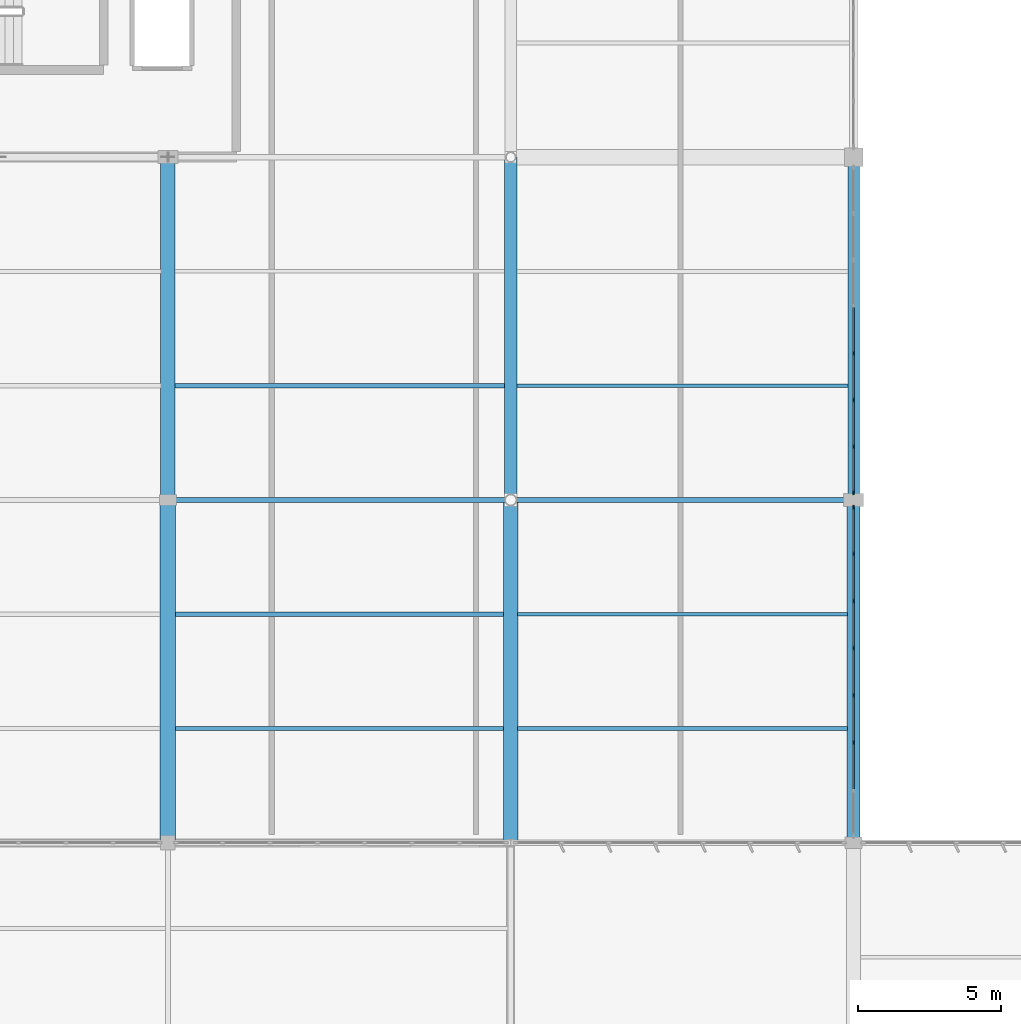
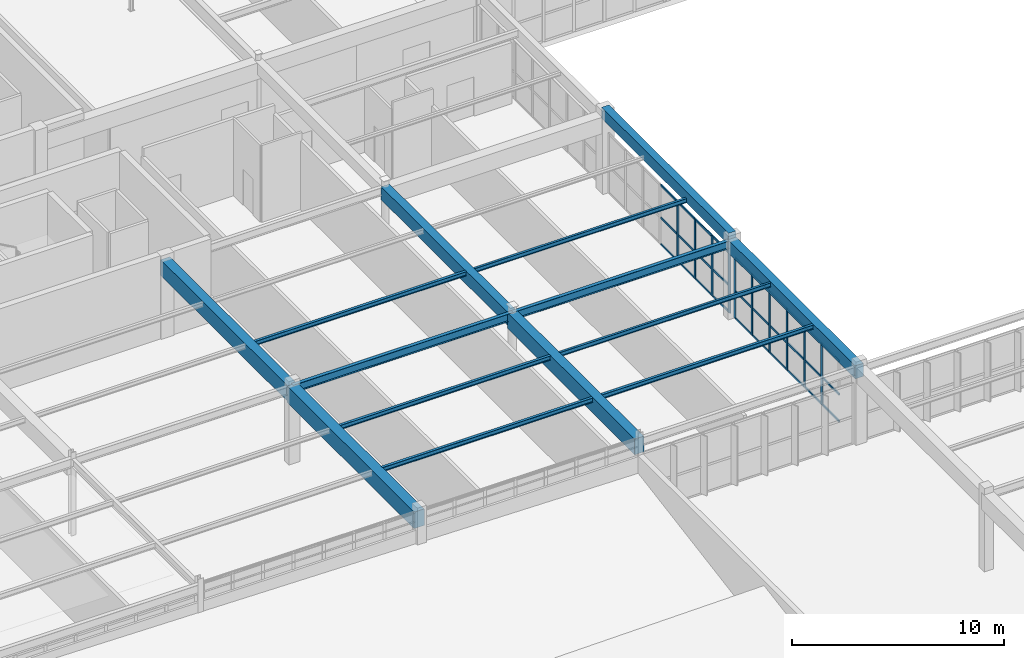
# One storey, part 76 of 226: 40 members, 14 beams, 2 elements without a shape of their own.
"""IFC4 building model written with IfcOpenShell, lengths in metres."""

from ifc_helpers import new_model, si_unit, direction, frame, origin, origin_2d, place, context, subcontext, project, spatial, rectangle, i_section, extrude, material, layer, layer_set, material_profile, profile_set, type_object, element, aggregate, save


model = new_model("IFC4")

# Units and contexts
model_context = context("Model", 3, precision=1e-05, world=origin(), true_north=direction((0.0, 1.0)))
body_context = subcontext(model_context, "Body", "Model", "MODEL_VIEW")
ifc_project = project(units=[si_unit("LENGTHUNIT", "METRE"), si_unit("AREAUNIT", "SQUARE_METRE"), si_unit("VOLUMEUNIT", "CUBIC_METRE"), si_unit("PLANEANGLEUNIT", "RADIAN"), si_unit("MASSUNIT", "GRAM", prefix="KILO")], contexts=[model_context])

# Site, building, storey
site_placement = place(None, origin())
site = spatial("IfcSite", under=ifc_project, at=site_placement, CompositionType="ELEMENT")
building_placement = place(site_placement, origin())
building = spatial("IfcBuilding", under=site, at=building_placement, Name="Tarnwether General Hospital", CompositionType="ELEMENT")
storey_placement = place(building_placement, frame((0.0, 0.0, 4.800048828125)))
storey = spatial("IfcBuildingStorey", under=building, at=storey_placement, Name="L01", CompositionType="ELEMENT", Elevation=4.800048828125)

# Beams
ifc_material_1 = material(Name="Steel Grade 350 (350 MPa)", Category="steel")
ifc_material_profile_1 = material_profile(ifc_material_1, i_section(OverallWidth=0.18994140625, OverallDepth=0.45703125, WebThickness=0.009033203125, FlangeThickness=0.014404296875, at=origin_2d()), Name="460UB74.6")
ifc_profile_set_1 = profile_set([ifc_material_profile_1], Name="Steel Grade 350 (350 MPa)")
beam_type_1 = type_object("IfcBeamType", Name="BM-G09", PredefinedType="BEAM", material=ifc_profile_set_1)
beam_1_placement = place(storey_placement, frame((36.0, 57.60009765625, 4.201416015625), z_axis=(1.0, 0.0, 0.0), x_axis=(0.0, 1.0, 0.0)))
element("IfcBeam", 1, at=beam_1_placement, inside=storey, type_object=beam_type_1, Name="Primary Girder BMG-L01-3600_5760-4800_5760-1092", PredefinedType="BEAM", context=body_context, shape_type="SweptSolid", body=[
    extrude(i_section(OverallWidth=0.18994140625, OverallDepth=0.45703125, WebThickness=0.009033203125, FlangeThickness=0.014404296875, at=origin_2d()), origin(), (0.0, 0.0, 1.0), 12.0),
])
ifc_material_2 = material(Name="Steel Grade 350 (350 MPa)", Category="steel")
ifc_material_profile_2 = material_profile(ifc_material_2, i_section(OverallWidth=0.18994140625, OverallDepth=0.4541015625, WebThickness=0.008544921875, FlangeThickness=0.0126953125, at=origin_2d()), Name="460UB67.1")
ifc_profile_set_2 = profile_set([ifc_material_profile_2], Name="Steel Grade 350 (350 MPa)")
beam_type_2 = type_object("IfcBeamType", Name="BM-G10", PredefinedType="BEAM", material=ifc_profile_set_2)
beam_2_placement = place(storey_placement, frame((48.0, 57.60009765625, 4.202880859375), z_axis=(1.0, 0.0, 0.0), x_axis=(0.0, 1.0, 0.0)))
element("IfcBeam", 2, at=beam_2_placement, inside=storey, type_object=beam_type_2, Name="Primary Girder BMG-L01-4800_5760-6000_5760-1105", PredefinedType="BEAM", context=body_context, shape_type="SweptSolid", body=[
    extrude(i_section(OverallWidth=0.18994140625, OverallDepth=0.4541015625, WebThickness=0.008544921875, FlangeThickness=0.0126953125, at=origin_2d()), origin(), (0.0, 0.0, 1.0), 12.0),
])
ifc_material_3 = material(Name="Concrete 40 MPa", Category="concrete")
ifc_material_profile_3 = material_profile(ifc_material_3, rectangle(XDim=0.550048828125, YDim=0.949951171875, at=origin_2d()), Name="RC-BM-550x950")
ifc_profile_set_3 = profile_set([ifc_material_profile_3], Name="Concrete 40 MPa")
beam_type_3 = type_object("IfcBeamType", Name="BM-G11", PredefinedType="BEAM", material=ifc_profile_set_3)
beam_3_placement = place(storey_placement, frame((36.0, 45.60009765625, 3.954833984375), z_axis=(0.0, 1.0, 0.0), x_axis=(-1.0, 0.0, 0.0)))
element("IfcBeam", 3, at=beam_3_placement, inside=storey, type_object=beam_type_3, Name="Primary Girder BMG-L01-3600_4560-3600_5760-1091", PredefinedType="BEAM", context=body_context, shape_type="SweptSolid", body=[
    extrude(rectangle(XDim=0.550048828125, YDim=0.949951171875, at=origin_2d()), origin(), (0.0, 0.0, 1.0), 12.0),
])
ifc_material_4 = material(Name="Concrete 40 MPa", Category="concrete")
ifc_material_profile_4 = material_profile(ifc_material_4, rectangle(XDim=0.5, YDim=0.89990234375, at=origin_2d()), Name="RC-BM-500x900")
ifc_profile_set_4 = profile_set([ifc_material_profile_4], Name="Concrete 40 MPa")
beam_type_4 = type_object("IfcBeamType", Name="BM-G12", PredefinedType="BEAM", material=ifc_profile_set_4)
for number, where, z_axis, x_axis, name in (
    (4, (36.0, 57.60009765625, 3.97998046875), (0.0, 1.0, 0.0), (-1.0, 0.0, 0.0), "Primary Girder BMG-L01-3600_5760-3600_6960-1093"),
    (5, (48.0, 45.60009765625, 3.97998046875), (0.0, 1.0, 0.0), (-1.0, 0.0, 0.0), "Primary Girder BMG-L01-4800_4560-4800_5760-1104"),
):
    element("IfcBeam", number, at=place(storey_placement, frame(where, z_axis=z_axis, x_axis=x_axis)), inside=storey, type_object=beam_type_4, Name=name, PredefinedType="BEAM", context=body_context, shape_type="SweptSolid", body=[
        extrude(rectangle(XDim=0.5, YDim=0.89990234375, at=origin_2d()), origin(), (0.0, 0.0, 1.0), 12.0),
    ])
ifc_material_5 = material(Name="Concrete 40 MPa", Category="concrete")
ifc_material_profile_5 = material_profile(ifc_material_5, rectangle(XDim=0.449951171875, YDim=0.75, at=origin_2d()), Name="RC-BM-450x750")
ifc_profile_set_5 = profile_set([ifc_material_profile_5], Name="Concrete 40 MPa")
beam_type_5 = type_object("IfcBeamType", Name="BM-G13", PredefinedType="BEAM", material=ifc_profile_set_5)
for number, where, z_axis, x_axis, name in (
    (6, (48.0, 57.60009765625, 4.054931640625), (0.0, 1.0, 0.0), (-1.0, 0.0, 0.0), "Primary Girder BMG-L01-4800_5760-4800_6960-1106"),
    (7, (60.0, 45.60009765625, 4.070068359375), (0.0, 1.0, 0.0), (-1.0, 0.0, 0.0), "Primary Girder BMG-L01-6000_4560-6000_5760-1125"),
):
    element("IfcBeam", number, at=place(storey_placement, frame(where, z_axis=z_axis, x_axis=x_axis)), inside=storey, type_object=beam_type_5, Name=name, PredefinedType="BEAM", context=body_context, shape_type="SweptSolid", body=[
        extrude(rectangle(XDim=0.449951171875, YDim=0.75, at=origin_2d()), origin(), (0.0, 0.0, 1.0), 12.0),
    ])
ifc_material_6 = material(Name="Concrete 40 MPa", Category="concrete")
ifc_material_profile_6 = material_profile(ifc_material_6, rectangle(XDim=0.39990234375, YDim=0.64990234375, at=origin_2d()), Name="RC-BM-400x650")
ifc_profile_set_6 = profile_set([ifc_material_profile_6], Name="Concrete 40 MPa")
beam_type_6 = type_object("IfcBeamType", Name="BM-G14", PredefinedType="BEAM", material=ifc_profile_set_6)
beam_4_placement = place(storey_placement, frame((60.0, 57.60009765625, 4.474853515625), z_axis=(0.0, 1.0, 0.0), x_axis=(-1.0, 0.0, 0.0)))
element("IfcBeam", 8, at=beam_4_placement, inside=storey, type_object=beam_type_6, Name="Primary Girder BMG-L01-6000_5760-6000_6960-1126", PredefinedType="BEAM", context=body_context, shape_type="SweptSolid", body=[
    extrude(rectangle(XDim=0.39990234375, YDim=0.64990234375, at=origin_2d()), origin(), (0.0, 0.0, 1.0), 12.0),
])
ifc_material_7 = material(Name="Steel Grade 350 (350 MPa)", Category="steel")
ifc_material_profile_7 = material_profile(ifc_material_7, i_section(OverallWidth=0.14599609375, OverallDepth=0.256103515625, WebThickness=0.00634765625, FlangeThickness=0.010986328125, at=origin_2d()), Name="250UB37.3")
ifc_profile_set_7 = profile_set([ifc_material_profile_7], Name="Steel Grade 350 (350 MPa)")
beam_type_7 = type_object("IfcBeamType", Name="BM-J09", PredefinedType="JOIST", material=ifc_profile_set_7)
beam_5_placement = place(storey_placement, frame((36.26904296875, 49.60009765625, 4.302001953125), z_axis=(1.0, 0.0, 0.0), x_axis=(0.0, 1.0, 0.0)))
element("IfcBeam", 9, at=beam_5_placement, inside=storey, type_object=beam_type_7, Name="Composite Floor Joist BMG-L01-3627_4960-4776_4960-1329", PredefinedType="JOIST", context=body_context, shape_type="SweptSolid", body=[
    extrude(i_section(OverallWidth=0.14599609375, OverallDepth=0.256103515625, WebThickness=0.00634765625, FlangeThickness=0.010986328125, at=origin_2d()), origin(), (0.0, 0.0, 1.0), 11.487060546875),
])
ifc_material_8 = material(Name="Steel Grade 350 (350 MPa)", Category="steel")
ifc_material_profile_8 = material_profile(ifc_material_8, i_section(OverallWidth=0.14599609375, OverallDepth=0.251953125, WebThickness=0.006103515625, FlangeThickness=0.008544921875, at=origin_2d()), Name="250UB31.4")
ifc_profile_set_8 = profile_set([ifc_material_profile_8], Name="Steel Grade 350 (350 MPa)")
beam_type_8 = type_object("IfcBeamType", Name="BM-J10", PredefinedType="JOIST", material=ifc_profile_set_8)
beam_6_placement = place(storey_placement, frame((36.26904296875, 53.60009765625, 4.303955078125), z_axis=(1.0, 0.0, 0.0), x_axis=(0.0, 1.0, 0.0)))
element("IfcBeam", 10, at=beam_6_placement, inside=storey, type_object=beam_type_8, Name="Composite Floor Joist BMG-L01-3627_5360-4776_5360-1330", PredefinedType="JOIST", context=body_context, shape_type="SweptSolid", body=[
    extrude(i_section(OverallWidth=0.14599609375, OverallDepth=0.251953125, WebThickness=0.006103515625, FlangeThickness=0.008544921875, at=origin_2d()), origin(), (0.0, 0.0, 1.0), 11.487060546875),
])
for number, where, z_axis, x_axis, name in (
    (11, (36.243896484375, 61.60009765625, 4.303955078125), (1.0, 0.0, 0.0), (0.0, 1.0, 0.0), "Composite Floor Joist BMG-L01-3624_6160-4778_6160-1331"),
    (12, (48.243896484375, 49.60009765625, 4.303955078125), (1.0, 0.0, 0.0), (0.0, 1.0, 0.0), "Composite Floor Joist BMG-L01-4824_4960-5978_4960-1339"),
):
    element("IfcBeam", number, at=place(storey_placement, frame(where, z_axis=z_axis, x_axis=x_axis)), inside=storey, type_object=beam_type_8, Name=name, PredefinedType="JOIST", context=body_context, shape_type="SweptSolid", body=[
        extrude(i_section(OverallWidth=0.14599609375, OverallDepth=0.251953125, WebThickness=0.006103515625, FlangeThickness=0.008544921875, at=origin_2d()), origin(), (0.0, 0.0, 1.0), 11.537109375),
    ])
ifc_material_9 = material(Name="Steel Grade 350 (350 MPa)", Category="steel")
ifc_material_profile_9 = material_profile(ifc_material_9, i_section(OverallWidth=0.1240234375, OverallDepth=0.248046875, WebThickness=0.0048828125, FlangeThickness=0.008056640625, at=origin_2d()), Name="250UB25.7")
ifc_profile_set_9 = profile_set([ifc_material_profile_9], Name="Steel Grade 350 (350 MPa)")
beam_type_9 = type_object("IfcBeamType", Name="BM-J11", PredefinedType="JOIST", material=ifc_profile_set_9)
beam_7_placement = place(storey_placement, frame((48.243896484375, 53.60009765625, 4.305908203125), z_axis=(1.0, 0.0, 0.0), x_axis=(0.0, 1.0, 0.0)))
element("IfcBeam", 13, at=beam_7_placement, inside=storey, type_object=beam_type_9, Name="Composite Floor Joist BMG-L01-4824_5360-5978_5360-1340", PredefinedType="JOIST", context=body_context, shape_type="SweptSolid", body=[
    extrude(i_section(OverallWidth=0.1240234375, OverallDepth=0.248046875, WebThickness=0.0048828125, FlangeThickness=0.008056640625, at=origin_2d()), origin(), (0.0, 0.0, 1.0), 11.537109375),
])
beam_8_placement = place(storey_placement, frame((48.218994140625, 61.60009765625, 4.305908203125), z_axis=(1.0, 0.0, 0.0), x_axis=(0.0, 1.0, 0.0)))
element("IfcBeam", 14, at=beam_8_placement, inside=storey, type_object=beam_type_9, Name="Composite Floor Joist BMG-L01-4822_6160-5981_6160-1341", PredefinedType="JOIST", context=body_context, shape_type="SweptSolid", body=[
    extrude(i_section(OverallWidth=0.1240234375, OverallDepth=0.248046875, WebThickness=0.0048828125, FlangeThickness=0.008056640625, at=origin_2d()), origin(), (0.0, 0.0, 1.0), 11.5869140625),
])

# Curtain wall, members
ifc_material_10 = material(Name="Anodised aluminium", Category="aluminium")
ifc_layer = layer(ifc_material_10, 0.159912109375)
ifc_layer_set = layer_set([ifc_layer], Name="Anodised aluminium")
curtain_wall_type = type_object("IfcCurtainWallType", Name="CW-15", PredefinedType="NOTDEFINED", material=ifc_layer_set)
curtain_wall_1_placement = place(storey_placement, origin())
curtain_wall_1 = element("IfcCurtainWall", 15, at=curtain_wall_1_placement, inside=storey, type_object=curtain_wall_type, Name="Curtain Wall CWG-L01-600_693-0353", PredefinedType="NOTDEFINED")
ifc_material_11 = material(Name="Anodised aluminium", Category="aluminium")
ifc_material_profile_10 = material_profile(ifc_material_11, rectangle(XDim=0.06005859375, YDim=0.159912109375, at=origin_2d()), Name="ALU-MUL-60x160")
ifc_profile_set_10 = profile_set([ifc_material_profile_10], Name="Anodised aluminium")
member_type_1 = type_object("IfcMemberType", Name="CW-ML1", PredefinedType="MULLION", material=ifc_profile_set_10)
member_1_placement = place(storey_placement, frame((60.0, 62.7333984375, 0.0), z_axis=(0.0, 0.0, 1.0), x_axis=(1.0, 0.0, 0.0)))
member_1 = element("IfcMember", 16, at=member_1_placement, type_object=member_type_1, Name="CW-15 mullion 5", PredefinedType="MULLION", context=body_context, shape_type="SweptSolid", body=[
    extrude(rectangle(XDim=0.06005859375, YDim=0.159912109375, at=origin_2d()), origin(), (0.0, 0.0, 1.0), 3.46484375),
])
member_2_placement = place(storey_placement, frame((60.0, 61.099853515625, 0.0), z_axis=(0.0, 0.0, 1.0), x_axis=(1.0, 0.0, 0.0)))
member_2 = element("IfcMember", 17, at=member_2_placement, type_object=member_type_1, Name="CW-15 mullion 6", PredefinedType="MULLION", context=body_context, shape_type="SweptSolid", body=[
    extrude(rectangle(XDim=0.06005859375, YDim=0.159912109375, at=origin_2d()), origin(), (0.0, 0.0, 1.0), 3.46484375),
])
member_3_placement = place(storey_placement, frame((60.0, 59.46630859375, 0.0), z_axis=(0.0, 0.0, 1.0), x_axis=(1.0, 0.0, 0.0)))
member_3 = element("IfcMember", 18, at=member_3_placement, type_object=member_type_1, Name="CW-15 mullion 7", PredefinedType="MULLION", context=body_context, shape_type="SweptSolid", body=[
    extrude(rectangle(XDim=0.06005859375, YDim=0.159912109375, at=origin_2d()), origin(), (0.0, 0.0, 1.0), 3.46484375),
])
member_4_placement = place(storey_placement, frame((60.0, 57.863037109375, 0.0), z_axis=(0.0, 0.0, 1.0), x_axis=(1.0, 0.0, 0.0)))
member_4 = element("IfcMember", 19, at=member_4_placement, type_object=member_type_1, Name="CW-15 mullion 8", PredefinedType="MULLION", context=body_context, shape_type="SweptSolid", body=[
    extrude(rectangle(XDim=0.06005859375, YDim=0.159912109375, at=origin_2d()), origin(), (0.0, 0.0, 1.0), 3.46484375),
])

curtain_wall_2_placement = place(storey_placement, origin())
curtain_wall_2 = element("IfcCurtainWall", 20, at=curtain_wall_2_placement, inside=storey, type_object=curtain_wall_type, Name="Curtain Wall CWG-L01-600_574-0354", PredefinedType="NOTDEFINED")
member_5_placement = place(storey_placement, frame((60.0, 57.3369140625, 0.0), z_axis=(0.0, 0.0, 1.0), x_axis=(1.0, 0.0, 0.0)))
member_5 = element("IfcMember", 21, at=member_5_placement, type_object=member_type_1, Name="CW-15 mullion 1", PredefinedType="MULLION", context=body_context, shape_type="SweptSolid", body=[
    extrude(rectangle(XDim=0.06005859375, YDim=0.159912109375, at=origin_2d()), origin(), (0.0, 0.0, 1.0), 3.530029296875),
])
member_6_placement = place(storey_placement, frame((60.0, 55.7158203125, 0.0), z_axis=(0.0, 0.0, 1.0), x_axis=(1.0, 0.0, 0.0)))
member_6 = element("IfcMember", 22, at=member_6_placement, type_object=member_type_1, Name="CW-15 mullion 2", PredefinedType="MULLION", context=body_context, shape_type="SweptSolid", body=[
    extrude(rectangle(XDim=0.06005859375, YDim=0.159912109375, at=origin_2d()), origin(), (0.0, 0.0, 1.0), 3.530029296875),
])
member_7_placement = place(storey_placement, frame((60.0, 54.064453125, 0.0), z_axis=(0.0, 0.0, 1.0), x_axis=(1.0, 0.0, 0.0)))
member_7 = element("IfcMember", 23, at=member_7_placement, type_object=member_type_1, Name="CW-15 mullion 3", PredefinedType="MULLION", context=body_context, shape_type="SweptSolid", body=[
    extrude(rectangle(XDim=0.06005859375, YDim=0.159912109375, at=origin_2d()), origin(), (0.0, 0.0, 1.0), 3.530029296875),
])
member_8_placement = place(storey_placement, frame((60.0, 52.4130859375, 0.0), z_axis=(0.0, 0.0, 1.0), x_axis=(1.0, 0.0, 0.0)))
member_8 = element("IfcMember", 24, at=member_8_placement, type_object=member_type_1, Name="CW-15 mullion 4", PredefinedType="MULLION", context=body_context, shape_type="SweptSolid", body=[
    extrude(rectangle(XDim=0.06005859375, YDim=0.159912109375, at=origin_2d()), origin(), (0.0, 0.0, 1.0), 3.530029296875),
])
member_9_placement = place(storey_placement, frame((60.0, 50.761962890625, 0.0), z_axis=(0.0, 0.0, 1.0), x_axis=(1.0, 0.0, 0.0)))
member_9 = element("IfcMember", 25, at=member_9_placement, type_object=member_type_1, Name="CW-15 mullion 5", PredefinedType="MULLION", context=body_context, shape_type="SweptSolid", body=[
    extrude(rectangle(XDim=0.06005859375, YDim=0.159912109375, at=origin_2d()), origin(), (0.0, 0.0, 1.0), 3.530029296875),
])
member_10_placement = place(storey_placement, frame((60.0, 49.110595703125, 0.0), z_axis=(0.0, 0.0, 1.0), x_axis=(1.0, 0.0, 0.0)))
member_10 = element("IfcMember", 26, at=member_10_placement, type_object=member_type_1, Name="CW-15 mullion 6", PredefinedType="MULLION", context=body_context, shape_type="SweptSolid", body=[
    extrude(rectangle(XDim=0.06005859375, YDim=0.159912109375, at=origin_2d()), origin(), (0.0, 0.0, 1.0), 3.530029296875),
])

# Member
ifc_material_12 = material(Name="Anodised aluminium", Category="aluminium")
ifc_material_profile_11 = material_profile(ifc_material_12, rectangle(XDim=0.06005859375, YDim=0.1201171875, at=origin_2d()), Name="ALU-TRN-60x120")
ifc_profile_set_11 = profile_set([ifc_material_profile_11], Name="Anodised aluminium")
member_type_2 = type_object("IfcMemberType", Name="CW-TR1", PredefinedType="USERDEFINED", material=ifc_profile_set_11)
member_11_placement = place(storey_placement, frame((60.0, 64.336669921875, 0.030029296875), z_axis=(0.0, -1.0, 0.0), x_axis=(1.0, 0.0, 0.0)))
member_11 = element("IfcMember", 27, at=member_11_placement, type_object=member_type_2, Name="CW-15 transom 4.1", ObjectType="TRANSOM", PredefinedType="USERDEFINED", context=body_context, shape_type="SweptSolid", body=[
    extrude(rectangle(XDim=0.06005859375, YDim=0.1201171875, at=origin_2d()), origin(), (0.0, 0.0, 1.0), 1.573486328125),
])

member_12_placement = place(storey_placement, frame((60.0, 64.336669921875, 1.559326171875), z_axis=(0.0, -1.0, 0.0), x_axis=(1.0, 0.0, 0.0)))
member_12 = element("IfcMember", 28, at=member_12_placement, type_object=member_type_2, Name="CW-15 transom 4.2", ObjectType="TRANSOM", PredefinedType="USERDEFINED", context=body_context, shape_type="SweptSolid", body=[
    extrude(rectangle(XDim=0.06005859375, YDim=0.1201171875, at=origin_2d()), origin(), (0.0, 0.0, 1.0), 1.573486328125),
])

member_13_placement = place(storey_placement, frame((60.0, 64.336669921875, 3.43505859375), z_axis=(0.0, -1.0, 0.0), x_axis=(1.0, 0.0, 0.0)))
member_13 = element("IfcMember", 29, at=member_13_placement, type_object=member_type_2, Name="CW-15 transom 4.3", ObjectType="TRANSOM", PredefinedType="USERDEFINED", context=body_context, shape_type="SweptSolid", body=[
    extrude(rectangle(XDim=0.06005859375, YDim=0.1201171875, at=origin_2d()), origin(), (0.0, 0.0, 1.0), 1.573486328125),
])

member_14_placement = place(storey_placement, frame((60.0, 62.703369140625, 0.030029296875), z_axis=(0.0, -1.0, 0.0), x_axis=(1.0, 0.0, 0.0)))
member_14 = element("IfcMember", 30, at=member_14_placement, type_object=member_type_2, Name="CW-15 transom 5.1", ObjectType="TRANSOM", PredefinedType="USERDEFINED", context=body_context, shape_type="SweptSolid", body=[
    extrude(rectangle(XDim=0.06005859375, YDim=0.1201171875, at=origin_2d()), origin(), (0.0, 0.0, 1.0), 1.573486328125),
])

member_15_placement = place(storey_placement, frame((60.0, 62.703369140625, 1.559326171875), z_axis=(0.0, -1.0, 0.0), x_axis=(1.0, 0.0, 0.0)))
member_15 = element("IfcMember", 31, at=member_15_placement, type_object=member_type_2, Name="CW-15 transom 5.2", ObjectType="TRANSOM", PredefinedType="USERDEFINED", context=body_context, shape_type="SweptSolid", body=[
    extrude(rectangle(XDim=0.06005859375, YDim=0.1201171875, at=origin_2d()), origin(), (0.0, 0.0, 1.0), 1.573486328125),
])

member_16_placement = place(storey_placement, frame((60.0, 62.703369140625, 3.43505859375), z_axis=(0.0, -1.0, 0.0), x_axis=(1.0, 0.0, 0.0)))
member_16 = element("IfcMember", 32, at=member_16_placement, type_object=member_type_2, Name="CW-15 transom 5.3", ObjectType="TRANSOM", PredefinedType="USERDEFINED", context=body_context, shape_type="SweptSolid", body=[
    extrude(rectangle(XDim=0.06005859375, YDim=0.1201171875, at=origin_2d()), origin(), (0.0, 0.0, 1.0), 1.573486328125),
])

member_17_placement = place(storey_placement, frame((60.0, 61.06982421875, 0.030029296875), z_axis=(0.0, -1.0, 0.0), x_axis=(1.0, 0.0, 0.0)))
member_17 = element("IfcMember", 33, at=member_17_placement, type_object=member_type_2, Name="CW-15 transom 6.1", ObjectType="TRANSOM", PredefinedType="USERDEFINED", context=body_context, shape_type="SweptSolid", body=[
    extrude(rectangle(XDim=0.06005859375, YDim=0.1201171875, at=origin_2d()), origin(), (0.0, 0.0, 1.0), 1.573486328125),
])

member_18_placement = place(storey_placement, frame((60.0, 61.06982421875, 1.559326171875), z_axis=(0.0, -1.0, 0.0), x_axis=(1.0, 0.0, 0.0)))
member_18 = element("IfcMember", 34, at=member_18_placement, type_object=member_type_2, Name="CW-15 transom 6.2", ObjectType="TRANSOM", PredefinedType="USERDEFINED", context=body_context, shape_type="SweptSolid", body=[
    extrude(rectangle(XDim=0.06005859375, YDim=0.1201171875, at=origin_2d()), origin(), (0.0, 0.0, 1.0), 1.573486328125),
])

member_19_placement = place(storey_placement, frame((60.0, 61.06982421875, 3.43505859375), z_axis=(0.0, -1.0, 0.0), x_axis=(1.0, 0.0, 0.0)))
member_19 = element("IfcMember", 35, at=member_19_placement, type_object=member_type_2, Name="CW-15 transom 6.3", ObjectType="TRANSOM", PredefinedType="USERDEFINED", context=body_context, shape_type="SweptSolid", body=[
    extrude(rectangle(XDim=0.06005859375, YDim=0.1201171875, at=origin_2d()), origin(), (0.0, 0.0, 1.0), 1.573486328125),
])

member_20_placement = place(storey_placement, frame((60.0, 59.4365234375, 0.030029296875), z_axis=(0.0, -1.0, 0.0), x_axis=(1.0, 0.0, 0.0)))
member_20 = element("IfcMember", 36, at=member_20_placement, type_object=member_type_2, Name="CW-15 transom 7.1", ObjectType="TRANSOM", PredefinedType="USERDEFINED", context=body_context, shape_type="SweptSolid", body=[
    extrude(rectangle(XDim=0.06005859375, YDim=0.1201171875, at=origin_2d()), origin(), (0.0, 0.0, 1.0), 1.54345703125),
])

member_21_placement = place(storey_placement, frame((60.0, 59.4365234375, 1.559326171875), z_axis=(0.0, -1.0, 0.0), x_axis=(1.0, 0.0, 0.0)))
member_21 = element("IfcMember", 37, at=member_21_placement, type_object=member_type_2, Name="CW-15 transom 7.2", ObjectType="TRANSOM", PredefinedType="USERDEFINED", context=body_context, shape_type="SweptSolid", body=[
    extrude(rectangle(XDim=0.06005859375, YDim=0.1201171875, at=origin_2d()), origin(), (0.0, 0.0, 1.0), 1.54345703125),
])

member_22_placement = place(storey_placement, frame((60.0, 59.4365234375, 3.43505859375), z_axis=(0.0, -1.0, 0.0), x_axis=(1.0, 0.0, 0.0)))
member_22 = element("IfcMember", 38, at=member_22_placement, type_object=member_type_2, Name="CW-15 transom 7.3", ObjectType="TRANSOM", PredefinedType="USERDEFINED", context=body_context, shape_type="SweptSolid", body=[
    extrude(rectangle(XDim=0.06005859375, YDim=0.1201171875, at=origin_2d()), origin(), (0.0, 0.0, 1.0), 1.54345703125),
])

aggregate(curtain_wall_1, [member_1, member_2, member_3, member_4, member_11, member_12, member_13, member_14, member_15, member_16, member_17, member_18, member_19, member_20, member_21, member_22])

member_23_placement = place(storey_placement, frame((60.0, 57.306884765625, 0.030029296875), z_axis=(0.0, -1.0, 0.0), x_axis=(1.0, 0.0, 0.0)))
member_23 = element("IfcMember", 39, at=member_23_placement, type_object=member_type_2, Name="CW-15 transom 1.1", ObjectType="TRANSOM", PredefinedType="USERDEFINED", context=body_context, shape_type="SweptSolid", body=[
    extrude(rectangle(XDim=0.06005859375, YDim=0.1201171875, at=origin_2d()), origin(), (0.0, 0.0, 1.0), 1.561279296875),
])

member_24_placement = place(storey_placement, frame((60.0, 57.306884765625, 1.58837890625), z_axis=(0.0, -1.0, 0.0), x_axis=(1.0, 0.0, 0.0)))
member_24 = element("IfcMember", 40, at=member_24_placement, type_object=member_type_2, Name="CW-15 transom 1.2", ObjectType="TRANSOM", PredefinedType="USERDEFINED", context=body_context, shape_type="SweptSolid", body=[
    extrude(rectangle(XDim=0.06005859375, YDim=0.1201171875, at=origin_2d()), origin(), (0.0, 0.0, 1.0), 1.561279296875),
])

member_25_placement = place(storey_placement, frame((60.0, 57.306884765625, 3.5), z_axis=(0.0, -1.0, 0.0), x_axis=(1.0, 0.0, 0.0)))
member_25 = element("IfcMember", 41, at=member_25_placement, type_object=member_type_2, Name="CW-15 transom 1.3", ObjectType="TRANSOM", PredefinedType="USERDEFINED", context=body_context, shape_type="SweptSolid", body=[
    extrude(rectangle(XDim=0.06005859375, YDim=0.1201171875, at=origin_2d()), origin(), (0.0, 0.0, 1.0), 1.561279296875),
])

member_26_placement = place(storey_placement, frame((60.0, 55.685791015625, 0.030029296875), z_axis=(0.0, -1.0, 0.0), x_axis=(1.0, 0.0, 0.0)))
member_26 = element("IfcMember", 42, at=member_26_placement, type_object=member_type_2, Name="CW-15 transom 2.1", ObjectType="TRANSOM", PredefinedType="USERDEFINED", context=body_context, shape_type="SweptSolid", body=[
    extrude(rectangle(XDim=0.06005859375, YDim=0.1201171875, at=origin_2d()), origin(), (0.0, 0.0, 1.0), 1.59130859375),
])

member_27_placement = place(storey_placement, frame((60.0, 55.685791015625, 1.58837890625), z_axis=(0.0, -1.0, 0.0), x_axis=(1.0, 0.0, 0.0)))
member_27 = element("IfcMember", 43, at=member_27_placement, type_object=member_type_2, Name="CW-15 transom 2.2", ObjectType="TRANSOM", PredefinedType="USERDEFINED", context=body_context, shape_type="SweptSolid", body=[
    extrude(rectangle(XDim=0.06005859375, YDim=0.1201171875, at=origin_2d()), origin(), (0.0, 0.0, 1.0), 1.59130859375),
])

member_28_placement = place(storey_placement, frame((60.0, 55.685791015625, 3.5), z_axis=(0.0, -1.0, 0.0), x_axis=(1.0, 0.0, 0.0)))
member_28 = element("IfcMember", 44, at=member_28_placement, type_object=member_type_2, Name="CW-15 transom 2.3", ObjectType="TRANSOM", PredefinedType="USERDEFINED", context=body_context, shape_type="SweptSolid", body=[
    extrude(rectangle(XDim=0.06005859375, YDim=0.1201171875, at=origin_2d()), origin(), (0.0, 0.0, 1.0), 1.59130859375),
])

member_29_placement = place(storey_placement, frame((60.0, 54.034423828125, 0.030029296875), z_axis=(0.0, -1.0, 0.0), x_axis=(1.0, 0.0, 0.0)))
member_29 = element("IfcMember", 45, at=member_29_placement, type_object=member_type_2, Name="CW-15 transom 3.1", ObjectType="TRANSOM", PredefinedType="USERDEFINED", context=body_context, shape_type="SweptSolid", body=[
    extrude(rectangle(XDim=0.06005859375, YDim=0.1201171875, at=origin_2d()), origin(), (0.0, 0.0, 1.0), 1.59130859375),
])

member_30_placement = place(storey_placement, frame((60.0, 54.034423828125, 1.58837890625), z_axis=(0.0, -1.0, 0.0), x_axis=(1.0, 0.0, 0.0)))
member_30 = element("IfcMember", 46, at=member_30_placement, type_object=member_type_2, Name="CW-15 transom 3.2", ObjectType="TRANSOM", PredefinedType="USERDEFINED", context=body_context, shape_type="SweptSolid", body=[
    extrude(rectangle(XDim=0.06005859375, YDim=0.1201171875, at=origin_2d()), origin(), (0.0, 0.0, 1.0), 1.59130859375),
])

member_31_placement = place(storey_placement, frame((60.0, 54.034423828125, 3.5), z_axis=(0.0, -1.0, 0.0), x_axis=(1.0, 0.0, 0.0)))
member_31 = element("IfcMember", 47, at=member_31_placement, type_object=member_type_2, Name="CW-15 transom 3.3", ObjectType="TRANSOM", PredefinedType="USERDEFINED", context=body_context, shape_type="SweptSolid", body=[
    extrude(rectangle(XDim=0.06005859375, YDim=0.1201171875, at=origin_2d()), origin(), (0.0, 0.0, 1.0), 1.59130859375),
])

member_32_placement = place(storey_placement, frame((60.0, 52.383056640625, 0.030029296875), z_axis=(0.0, -1.0, 0.0), x_axis=(1.0, 0.0, 0.0)))
member_32 = element("IfcMember", 48, at=member_32_placement, type_object=member_type_2, Name="CW-15 transom 4.1", ObjectType="TRANSOM", PredefinedType="USERDEFINED", context=body_context, shape_type="SweptSolid", body=[
    extrude(rectangle(XDim=0.06005859375, YDim=0.1201171875, at=origin_2d()), origin(), (0.0, 0.0, 1.0), 1.59130859375),
])

member_33_placement = place(storey_placement, frame((60.0, 52.383056640625, 1.58837890625), z_axis=(0.0, -1.0, 0.0), x_axis=(1.0, 0.0, 0.0)))
member_33 = element("IfcMember", 49, at=member_33_placement, type_object=member_type_2, Name="CW-15 transom 4.2", ObjectType="TRANSOM", PredefinedType="USERDEFINED", context=body_context, shape_type="SweptSolid", body=[
    extrude(rectangle(XDim=0.06005859375, YDim=0.1201171875, at=origin_2d()), origin(), (0.0, 0.0, 1.0), 1.59130859375),
])

member_34_placement = place(storey_placement, frame((60.0, 52.383056640625, 3.5), z_axis=(0.0, -1.0, 0.0), x_axis=(1.0, 0.0, 0.0)))
member_34 = element("IfcMember", 50, at=member_34_placement, type_object=member_type_2, Name="CW-15 transom 4.3", ObjectType="TRANSOM", PredefinedType="USERDEFINED", context=body_context, shape_type="SweptSolid", body=[
    extrude(rectangle(XDim=0.06005859375, YDim=0.1201171875, at=origin_2d()), origin(), (0.0, 0.0, 1.0), 1.59130859375),
])

member_35_placement = place(storey_placement, frame((60.0, 50.73193359375, 0.030029296875), z_axis=(0.0, -1.0, 0.0), x_axis=(1.0, 0.0, 0.0)))
member_35 = element("IfcMember", 51, at=member_35_placement, type_object=member_type_2, Name="CW-15 transom 5.1", ObjectType="TRANSOM", PredefinedType="USERDEFINED", context=body_context, shape_type="SweptSolid", body=[
    extrude(rectangle(XDim=0.06005859375, YDim=0.1201171875, at=origin_2d()), origin(), (0.0, 0.0, 1.0), 1.59130859375),
])

member_36_placement = place(storey_placement, frame((60.0, 50.73193359375, 1.58837890625), z_axis=(0.0, -1.0, 0.0), x_axis=(1.0, 0.0, 0.0)))
member_36 = element("IfcMember", 52, at=member_36_placement, type_object=member_type_2, Name="CW-15 transom 5.2", ObjectType="TRANSOM", PredefinedType="USERDEFINED", context=body_context, shape_type="SweptSolid", body=[
    extrude(rectangle(XDim=0.06005859375, YDim=0.1201171875, at=origin_2d()), origin(), (0.0, 0.0, 1.0), 1.59130859375),
])

member_37_placement = place(storey_placement, frame((60.0, 50.73193359375, 3.5), z_axis=(0.0, -1.0, 0.0), x_axis=(1.0, 0.0, 0.0)))
member_37 = element("IfcMember", 53, at=member_37_placement, type_object=member_type_2, Name="CW-15 transom 5.3", ObjectType="TRANSOM", PredefinedType="USERDEFINED", context=body_context, shape_type="SweptSolid", body=[
    extrude(rectangle(XDim=0.06005859375, YDim=0.1201171875, at=origin_2d()), origin(), (0.0, 0.0, 1.0), 1.59130859375),
])

member_38_placement = place(storey_placement, frame((60.0, 49.08056640625, 0.030029296875), z_axis=(0.0, -1.0, 0.0), x_axis=(1.0, 0.0, 0.0)))
member_38 = element("IfcMember", 54, at=member_38_placement, type_object=member_type_2, Name="CW-15 transom 6.1", ObjectType="TRANSOM", PredefinedType="USERDEFINED", context=body_context, shape_type="SweptSolid", body=[
    extrude(rectangle(XDim=0.06005859375, YDim=0.1201171875, at=origin_2d()), origin(), (0.0, 0.0, 1.0), 1.59130859375),
])

member_39_placement = place(storey_placement, frame((60.0, 49.08056640625, 1.58837890625), z_axis=(0.0, -1.0, 0.0), x_axis=(1.0, 0.0, 0.0)))
member_39 = element("IfcMember", 55, at=member_39_placement, type_object=member_type_2, Name="CW-15 transom 6.2", ObjectType="TRANSOM", PredefinedType="USERDEFINED", context=body_context, shape_type="SweptSolid", body=[
    extrude(rectangle(XDim=0.06005859375, YDim=0.1201171875, at=origin_2d()), origin(), (0.0, 0.0, 1.0), 1.59130859375),
])

member_40_placement = place(storey_placement, frame((60.0, 49.08056640625, 3.5), z_axis=(0.0, -1.0, 0.0), x_axis=(1.0, 0.0, 0.0)))
member_40 = element("IfcMember", 56, at=member_40_placement, type_object=member_type_2, Name="CW-15 transom 6.3", ObjectType="TRANSOM", PredefinedType="USERDEFINED", context=body_context, shape_type="SweptSolid", body=[
    extrude(rectangle(XDim=0.06005859375, YDim=0.1201171875, at=origin_2d()), origin(), (0.0, 0.0, 1.0), 1.59130859375),
])

aggregate(curtain_wall_2, [member_5, member_6, member_7, member_8, member_9, member_10, member_23, member_24, member_25, member_26, member_27, member_28, member_29, member_30, member_31, member_32, member_33, member_34, member_35, member_36, member_37, member_38, member_39, member_40])

save(model, "model.ifc")
